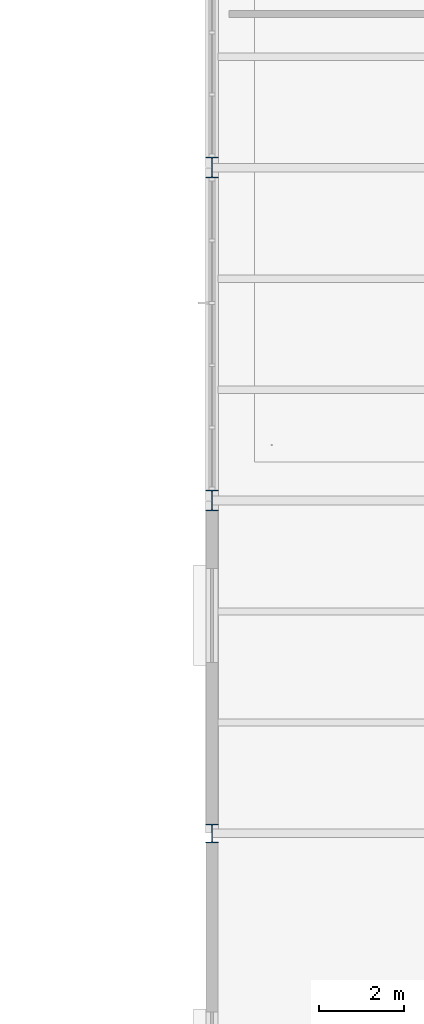
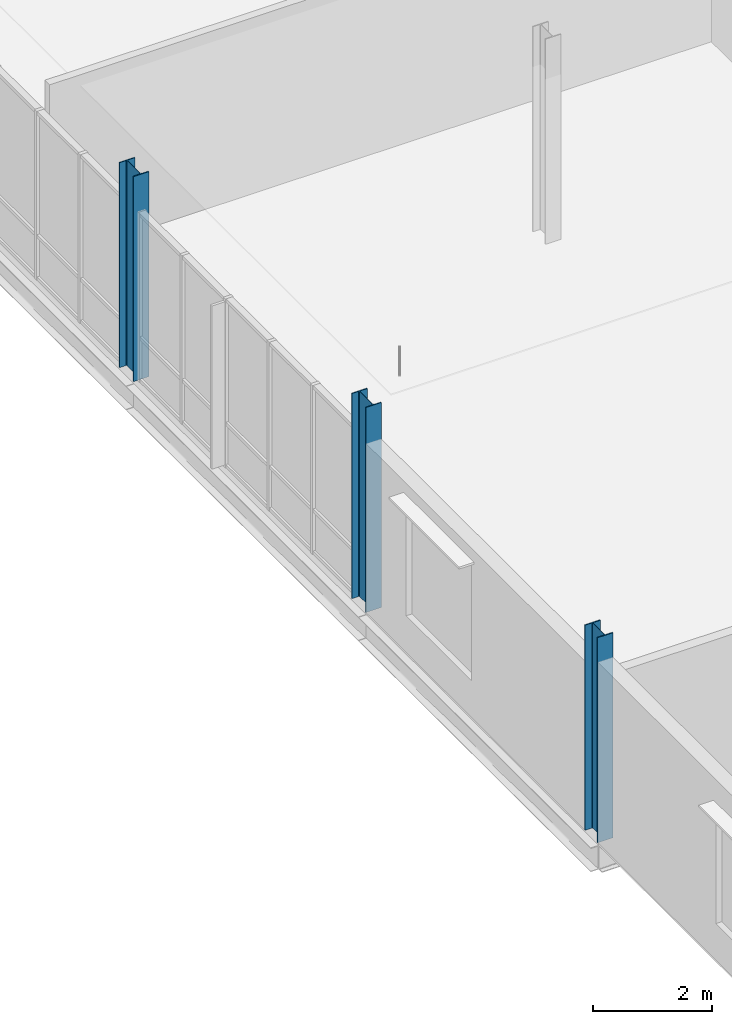
# One storey, part 3 of 75: 3 columns.
"""IFC4 building model written with IfcOpenShell, lengths in metres."""

from ifc_helpers import new_model, si_unit, direction, frame, origin, origin_2d, place, context, subcontext, project, spatial, i_section, extrude, material, material_profile, profile_set, type_object, element, save


model = new_model("IFC4")

# Units and contexts
model_context = context("Model", 3, precision=1e-05, world=origin(), true_north=direction((0.0, 1.0)))
body_context = subcontext(model_context, "Body", "Model", "MODEL_VIEW")
ifc_project = project(units=[si_unit("LENGTHUNIT", "METRE"), si_unit("AREAUNIT", "SQUARE_METRE"), si_unit("VOLUMEUNIT", "CUBIC_METRE"), si_unit("PLANEANGLEUNIT", "RADIAN"), si_unit("MASSUNIT", "GRAM", prefix="KILO")], contexts=[model_context])

# Site, building, storey
site_placement = place(None, origin())
site = spatial("IfcSite", under=ifc_project, at=site_placement, CompositionType="ELEMENT")
building_placement = place(site_placement, origin())
building = spatial("IfcBuilding", under=site, at=building_placement, Name="Yukiwa Park Conservatory and Herbarium", CompositionType="ELEMENT")
storey_placement = place(building_placement, frame((0.0, 0.0, 4.800048828125)))
storey = spatial("IfcBuildingStorey", under=building, at=storey_placement, Name="L01", CompositionType="ELEMENT", Elevation=4.800048828125)

# Columns
ifc_material_1 = material(Name="Steel Q355D", Category="steel")
ifc_material_profile_1 = material_profile(ifc_material_1, i_section(OverallWidth=0.300048828125, OverallDepth=0.43994140625, WebThickness=0.010986328125, FlangeThickness=0.01806640625, FilletRadius=0.02392578125, at=origin_2d()), Name="HM 440x300x11x18")
ifc_profile_set_1 = profile_set([ifc_material_profile_1], Name="Steel Q355D")
column_type_1 = type_object("IfcColumnType", Name="COL-VS-HM440", PredefinedType="COLUMN", material=ifc_profile_set_1)
column_placement = place(storey_placement, frame((60.0, 46.800048828125, 0.0), z_axis=(0.0, 0.0, 1.0), x_axis=(1.0, 0.0, 0.0)))
element("IfcColumn", 1, at=column_placement, inside=storey, type_object=column_type_1, Name="L01 column V3-X600-Y468", PredefinedType="COLUMN", context=body_context, shape_type="SweptSolid", body=[
    extrude(i_section(OverallWidth=0.300048828125, OverallDepth=0.43994140625, WebThickness=0.010986328125, FlangeThickness=0.01806640625, FilletRadius=0.02392578125, at=origin_2d()), origin(), (0.0, 0.0, 1.0), 4.199951171875),
])
ifc_material_2 = material(Name="Steel Q355D", Category="steel")
ifc_material_profile_2 = material_profile(ifc_material_2, i_section(OverallWidth=0.300048828125, OverallDepth=0.488037109375, WebThickness=0.010986328125, FlangeThickness=0.01806640625, FilletRadius=0.02392578125, at=origin_2d()), Name="HM 488x300x11x18")
ifc_profile_set_2 = profile_set([ifc_material_profile_2], Name="Steel Q355D")
column_type_2 = type_object("IfcColumnType", Name="COL-VS-HM488-EXT", PredefinedType="COLUMN", material=ifc_profile_set_2)
for number, where, z_axis, x_axis, name in (
    (2, (60.0, 54.60009765625, 0.0), (0.0, 0.0, 1.0), (1.0, 0.0, 0.0), "L01 column V3-X600-Y546"),
    (3, (60.0, 62.39990234375, 0.0), (0.0, 0.0, 1.0), (1.0, 0.0, 0.0), "L01 column V3-X600-Y624"),
):
    element("IfcColumn", number, at=place(storey_placement, frame(where, z_axis=z_axis, x_axis=x_axis)), inside=storey, type_object=column_type_2, Name=name, PredefinedType="COLUMN", context=body_context, shape_type="SweptSolid", body=[
        extrude(i_section(OverallWidth=0.300048828125, OverallDepth=0.488037109375, WebThickness=0.010986328125, FlangeThickness=0.01806640625, FilletRadius=0.02392578125, at=origin_2d()), origin(), (0.0, 0.0, 1.0), 4.199951171875),
    ])

save(model, "model.ifc")
